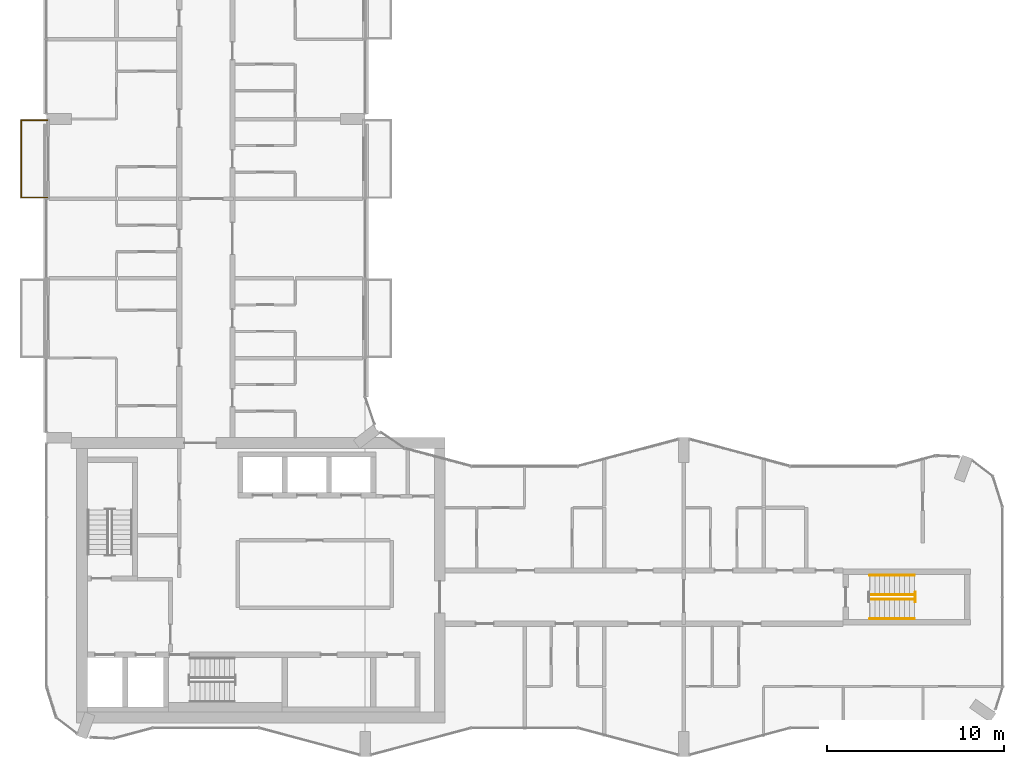
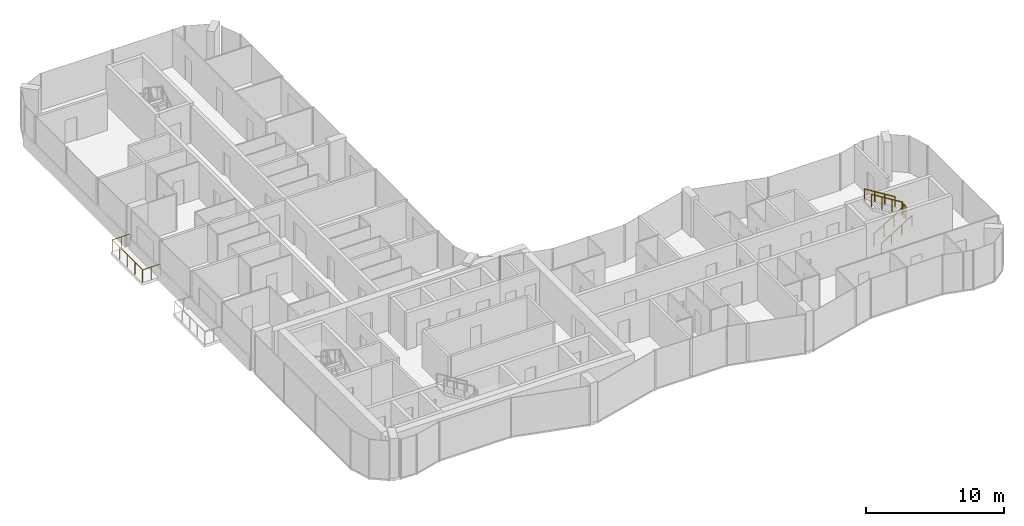
# One storey, part 16 of 17: 6 railings.
"""IFC4 building model written with IfcOpenShell, lengths in metres."""

from ifc_helpers import new_model, si_unit, direction, frame, origin, origin_2d, place, context, subcontext, project, spatial, circle, extrude, material, type_object, element, save


model = new_model("IFC4")

# Units and contexts
model_context = context("Model", 3, precision=1e-05, world=origin(), true_north=direction((0.0, 1.0)))
body_context = subcontext(model_context, "Body", "Model", "MODEL_VIEW")
ifc_project = project(units=[si_unit("LENGTHUNIT", "METRE"), si_unit("AREAUNIT", "SQUARE_METRE"), si_unit("VOLUMEUNIT", "CUBIC_METRE"), si_unit("PLANEANGLEUNIT", "RADIAN"), si_unit("MASSUNIT", "GRAM", prefix="KILO")], contexts=[model_context])

# Site, building, storey
site_placement = place(None, origin())
site = spatial("IfcSite", under=ifc_project, at=site_placement, CompositionType="ELEMENT")
building_placement = place(site_placement, origin())
building = spatial("IfcBuilding", under=site, at=building_placement, Name="Plateau Cross Towers", CompositionType="ELEMENT")
storey_placement = place(building_placement, frame((0.0, 0.0, 146.39990234375)))
storey = spatial("IfcBuildingStorey", under=building, at=storey_placement, Name="L37", CompositionType="ELEMENT", Elevation=146.39990234375)

# Railings
ifc_material_1 = material(Name="Stainless steel and toughened glass", Category="steel")
railing_type_1 = type_object("IfcRailingType", Name="Glass balustrade guard 1100", PredefinedType="GUARDRAIL", material=ifc_material_1)
railing_1_placement = place(storey_placement, frame((0.050048828125, 31.570068359375, 0.0)))
element("IfcRailing", 1, at=railing_1_placement, inside=storey, type_object=railing_type_1, Name="Guard guard1", PredefinedType="GUARDRAIL", context=body_context, shape_type="SweptSolid", body=[
    extrude(circle(Radius=0.02392578125, at=origin_2d()), frame((0.0, 0.0, 1.076171875), z_axis=(-1.0, 0.0, 0.0), x_axis=(0.0, -1.0, 0.0)), (0.0, 0.0, 1.0), 1.47998046875),
    extrude(circle(Radius=0.02392578125, at=origin_2d()), frame((-1.47998046875, 0.0, 1.076171875), z_axis=(0.0, 1.0, 0.0), x_axis=(-1.0, 0.0, 0.0)), (0.0, 0.0, 1.0), 4.35986328125),
    extrude(circle(Radius=0.02392578125, at=origin_2d()), frame((-1.47998046875, 4.35986328125, 1.076171875), z_axis=(1.0, 0.0, 0.0), x_axis=(0.0, 1.0, 0.0)), (0.0, 0.0, 1.0), 1.47998046875),
    extrude(circle(Radius=0.02099609375, at=origin_2d()), origin(), (0.0, 0.0, 1.0), 1.052001953125),
    extrude(circle(Radius=0.02099609375, at=origin_2d()), frame((-0.739990234375, 0.0, 0.0)), (0.0, 0.0, 1.0), 1.052001953125),
    extrude(circle(Radius=0.02099609375, at=origin_2d()), frame((-1.47998046875, 0.0, 0.0)), (0.0, 0.0, 1.0), 1.052001953125),
    extrude(circle(Radius=0.02099609375, at=origin_2d()), frame((-1.47998046875, 1.08984375, 0.0)), (0.0, 0.0, 1.0), 1.052001953125),
    extrude(circle(Radius=0.02099609375, at=origin_2d()), frame((-1.47998046875, 2.179931640625, 0.0)), (0.0, 0.0, 1.0), 1.052001953125),
    extrude(circle(Radius=0.02099609375, at=origin_2d()), frame((-1.47998046875, 3.27001953125, 0.0)), (0.0, 0.0, 1.0), 1.052001953125),
    extrude(circle(Radius=0.02099609375, at=origin_2d()), frame((-1.47998046875, 4.35986328125, 0.0)), (0.0, 0.0, 1.0), 1.052001953125),
    extrude(circle(Radius=0.02099609375, at=origin_2d()), frame((-0.739990234375, 4.35986328125, 0.0)), (0.0, 0.0, 1.0), 1.052001953125),
    extrude(circle(Radius=0.02099609375, at=origin_2d()), frame((0.0, 4.35986328125, 0.0)), (0.0, 0.0, 1.0), 1.052001953125),
])
railing_type_2 = type_object("IfcRailingType", Name="RL-GUARD-1100", PredefinedType="GUARDRAIL", material=ifc_material_1)
railing_2_placement = place(storey_placement, frame((46.5, 8.875, 0.175048828125)))
element("IfcRailing", 2, at=railing_2_placement, inside=storey, type_object=railing_type_2, Name="L37 ES-E stair guard 1", PredefinedType="GUARDRAIL", context=body_context, shape_type="SweptSolid", body=[
    extrude(circle(Radius=0.02392578125, at=origin_2d()), frame((0.0, 0.0, 1.076171875), z_axis=(0.848007534815, 0.0, 0.529984170421), x_axis=(0.0, 1.0, 0.0)), (0.0, 0.0, 1.0), 2.9716796875),
    extrude(circle(Radius=0.02099609375, at=origin_2d()), origin(), (0.0, 0.0, 1.0), 1.052001953125),
    extrude(circle(Radius=0.02099609375, at=origin_2d()), frame((0.840087890625, 0.0, 0.52490234375)), (0.0, 0.0, 1.0), 1.052001953125),
    extrude(circle(Radius=0.02099609375, at=origin_2d()), frame((1.679931640625, 0.0, 1.050048828125)), (0.0, 0.0, 1.0), 1.052001953125),
    extrude(circle(Radius=0.02099609375, at=origin_2d()), frame((2.52001953125, 0.0, 1.574951171875)), (0.0, 0.0, 1.0), 1.052001953125),
])
railing_3_placement = place(storey_placement, frame((49.070068359375, 8.72509765625, 1.75)))
element("IfcRailing", 3, at=railing_3_placement, inside=storey, type_object=railing_type_2, Name="L37 ES-E stair guard 2", PredefinedType="GUARDRAIL", context=body_context, shape_type="SweptSolid", body=[
    extrude(circle(Radius=0.02392578125, at=origin_2d()), frame((0.0, 0.0, 1.076171875), z_axis=(0.0, 1.0, 0.0), x_axis=(-1.0, 0.0, 0.0)), (0.0, 0.0, 1.0), 0.5498046875),
    extrude(circle(Radius=0.02099609375, at=origin_2d()), origin(), (0.0, 0.0, 1.0), 1.052001953125),
    extrude(circle(Radius=0.02099609375, at=origin_2d()), frame((0.0, 0.5498046875, 0.0)), (0.0, 0.0, 1.0), 1.052001953125),
])
railing_4_placement = place(storey_placement, frame((49.02001953125, 9.125, 1.925048828125)))
element("IfcRailing", 4, at=railing_4_placement, inside=storey, type_object=railing_type_2, Name="L37 ES-E stair guard 3", PredefinedType="GUARDRAIL", context=body_context, shape_type="SweptSolid", body=[
    extrude(circle(Radius=0.02392578125, at=origin_2d()), frame((0.0, 0.0, 1.076171875), z_axis=(-0.852638500773, 0.0, 0.522501279423), x_axis=(0.0, -1.0, 0.0)), (0.0, 0.0, 1.0), 3.01416015625),
    extrude(circle(Radius=0.02099609375, at=origin_2d()), origin(), (0.0, 0.0, 1.0), 1.052001953125),
    extrude(circle(Radius=0.02099609375, at=origin_2d()), frame((-0.856689453125, 0.0, 0.52490234375)), (0.0, 0.0, 1.0), 1.052001953125),
    extrude(circle(Radius=0.02099609375, at=origin_2d()), frame((-1.71337890625, 0.0, 1.050048828125)), (0.0, 0.0, 1.0), 1.052001953125),
    extrude(circle(Radius=0.02099609375, at=origin_2d()), frame((-2.570068359375, 0.0, 1.574951171875)), (0.0, 0.0, 1.0), 1.052001953125),
])
ifc_material_2 = material(Name="Black anodised aluminium", Category="aluminium")
railing_type_3 = type_object("IfcRailingType", Name="RL-HANDRAIL-900", PredefinedType="HANDRAIL", material=ifc_material_2)
railing_5_placement = place(storey_placement, frame((46.5, 7.77490234375, 0.175048828125)))
element("IfcRailing", 5, at=railing_5_placement, inside=storey, type_object=railing_type_3, Name="L37 ES-E stair handrail 1", PredefinedType="HANDRAIL", context=body_context, shape_type="SweptSolid", body=[
    extrude(circle(Radius=0.02392578125, at=origin_2d()), frame((0.0, 0.0, 0.8759765625), z_axis=(0.848007534815, 0.0, 0.529984170421), x_axis=(0.0, 1.0, 0.0)), (0.0, 0.0, 1.0), 2.9716796875),
    extrude(circle(Radius=0.02099609375, at=origin_2d()), origin(), (0.0, 0.0, 1.0), 0.851806640625),
    extrude(circle(Radius=0.02099609375, at=origin_2d()), frame((0.840087890625, 0.0, 0.52490234375)), (0.0, 0.0, 1.0), 0.851806640625),
    extrude(circle(Radius=0.02099609375, at=origin_2d()), frame((1.679931640625, 0.0, 1.050048828125)), (0.0, 0.0, 1.0), 0.851806640625),
    extrude(circle(Radius=0.02099609375, at=origin_2d()), frame((2.52001953125, 0.0, 1.574951171875)), (0.0, 0.0, 1.0), 0.851806640625),
])
railing_6_placement = place(storey_placement, frame((49.02001953125, 10.22509765625, 1.925048828125)))
element("IfcRailing", 6, at=railing_6_placement, inside=storey, type_object=railing_type_3, Name="L37 ES-E stair handrail 2", PredefinedType="HANDRAIL", context=body_context, shape_type="SweptSolid", body=[
    extrude(circle(Radius=0.02392578125, at=origin_2d()), frame((0.0, 0.0, 0.8759765625), z_axis=(-0.848007534815, 0.0, 0.529984170421), x_axis=(0.0, -1.0, 0.0)), (0.0, 0.0, 1.0), 2.9716796875),
    extrude(circle(Radius=0.02099609375, at=origin_2d()), origin(), (0.0, 0.0, 1.0), 0.851806640625),
    extrude(circle(Radius=0.02099609375, at=origin_2d()), frame((-0.840087890625, 0.0, 0.52490234375)), (0.0, 0.0, 1.0), 0.851806640625),
    extrude(circle(Radius=0.02099609375, at=origin_2d()), frame((-1.679931640625, 0.0, 1.050048828125)), (0.0, 0.0, 1.0), 0.851806640625),
    extrude(circle(Radius=0.02099609375, at=origin_2d()), frame((-2.52001953125, 0.0, 1.574951171875)), (0.0, 0.0, 1.0), 0.851806640625),
])

save(model, "model.ifc")
